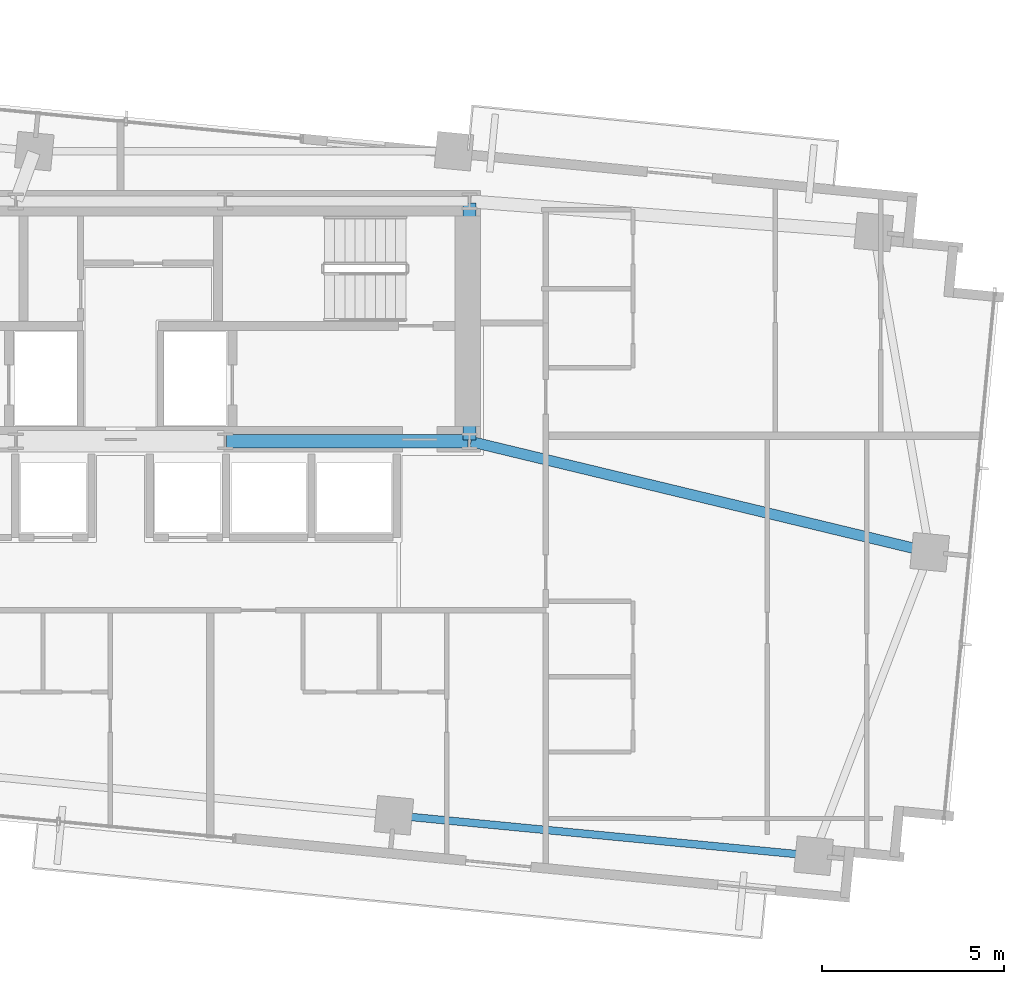
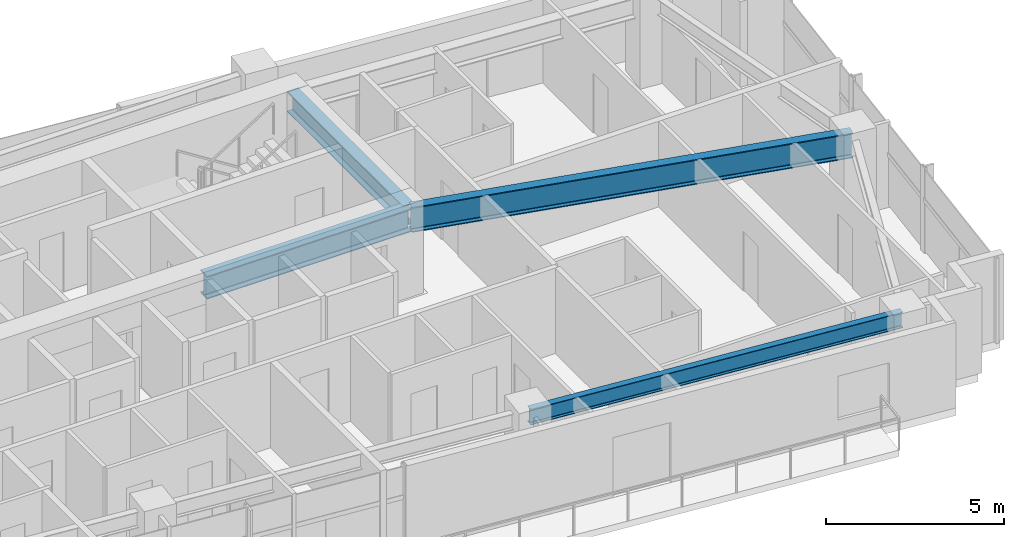
# One storey, part 9 of 19: 4 beams.
"""IFC4 building model written with IfcOpenShell, lengths in metres."""

from ifc_helpers import new_model, si_unit, direction, frame, origin, origin_2d, place, context, subcontext, project, spatial, i_section, extrude, source, transform, mapped, material, material_profile, profile_set, type_object, type_shapes, element, save


model = new_model("IFC4")

# Units and contexts
model_context = context("Model", 3, precision=1e-05, world=origin(), true_north=direction((0.0, 1.0)))
body_context = subcontext(model_context, "Body", "Model", "MODEL_VIEW")
ifc_project = project(units=[si_unit("LENGTHUNIT", "METRE"), si_unit("AREAUNIT", "SQUARE_METRE"), si_unit("VOLUMEUNIT", "CUBIC_METRE"), si_unit("PLANEANGLEUNIT", "RADIAN"), si_unit("MASSUNIT", "GRAM", prefix="KILO")], contexts=[model_context])

# Site, building, storey
site_placement = place(None, origin())
site = spatial("IfcSite", under=ifc_project, at=site_placement, CompositionType="ELEMENT")
building_placement = place(site_placement, origin())
building = spatial("IfcBuilding", under=site, at=building_placement, Name="Astriad Promenade Condominiums", CompositionType="ELEMENT")
storey_placement = place(building_placement, frame((0.0, 0.0, 143.800048828125)))
storey = spatial("IfcBuildingStorey", under=building, at=storey_placement, Name="L41", CompositionType="ELEMENT", Elevation=143.800048828125)

# Beams
ifc_material = material(Name="Steel ASTM A992 Grade 50", Category="steel")
ifc_material_profile_1 = material_profile(ifc_material, i_section(OverallWidth=0.3837890625, OverallDepth=0.785888671875, WebThickness=0.019775390625, FlangeThickness=0.033447265625, FilletRadius=0.021484375, at=origin_2d()), Name="W30X211")
ifc_profile_set_1 = profile_set([ifc_material_profile_1], Name="Steel ASTM A992 Grade 50")
beam_type_1 = type_object("IfcBeamType", Name="STEEL FLOOR GIRDER W30X211", PredefinedType="BEAM", material=ifc_profile_set_1)
shared_shape_1 = source(origin(), body_context, "Body", "SweptSolid", [
    extrude(i_section(OverallWidth=0.3837890625, OverallDepth=0.785888671875, WebThickness=0.019775390625, FlangeThickness=0.033447265625, FilletRadius=0.021484375, at=origin_2d()), origin(), (0.0, 0.0, 1.0), 6.64013671875),
])
type_shapes(beam_type_1, [shared_shape_1])
beam_1_placement = place(storey_placement, frame((38.919921875, 17.39990234375, 2.546875), z_axis=(1.0, 0.0, 0.0), x_axis=(0.0, 1.0, 0.0)))
element("IfcBeam", 1, at=beam_1_placement, inside=storey, type_object=beam_type_1, Name="Core Ring Beam CG-S3-L41", PredefinedType="BEAM", context=body_context, shape_type="MappedRepresentation", body=[
    mapped(shared_shape_1, transform((0.0, 0.0, 0.0), scale=1.0)),
])
ifc_material_profile_2 = material_profile(ifc_material, i_section(OverallWidth=0.35791015625, OverallDepth=0.706298828125, WebThickness=0.018310546875, FlangeThickness=0.0302734375, FilletRadius=0.020263671875, at=origin_2d()), Name="W27X178")
ifc_profile_set_2 = profile_set([ifc_material_profile_2], Name="Steel ASTM A992 Grade 50")
beam_type_2 = type_object("IfcBeamType", Name="STEEL FLOOR GIRDER W27X178", PredefinedType="BEAM", material=ifc_profile_set_2)
shared_shape_2 = source(origin(), body_context, "Body", "SweptSolid", [
    extrude(i_section(OverallWidth=0.35791015625, OverallDepth=0.706298828125, WebThickness=0.018310546875, FlangeThickness=0.0302734375, FilletRadius=0.020263671875, at=origin_2d()), origin(), (0.0, 0.0, 1.0), 6.52001953125),
])
type_shapes(beam_type_2, [shared_shape_2])
beam_2_placement = place(storey_placement, frame((45.60009765625, 17.43994140625, 2.586669921875), z_axis=(0.0, 1.0, 0.0), x_axis=(-1.0, 0.0, 0.0)))
element("IfcBeam", 2, at=beam_2_placement, inside=storey, type_object=beam_type_2, Name="Core Ring Beam CG-E1-L41", PredefinedType="BEAM", context=body_context, shape_type="MappedRepresentation", body=[
    mapped(shared_shape_2, transform((0.0, 0.0, 0.0), scale=1.0)),
])
ifc_material_profile_3 = material_profile(ifc_material, i_section(OverallWidth=0.210693359375, OverallDepth=0.53955078125, WebThickness=0.01171875, FlangeThickness=0.018798828125, FilletRadius=0.0166015625, at=origin_2d()), Name="W21X73")
ifc_profile_set_3 = profile_set([ifc_material_profile_3], Name="Steel ASTM A992 Grade 50")
beam_type_3 = type_object("IfcBeamType", Name="STEEL SPANDREL BEAM W21X73", PredefinedType="SPANDREL", material=ifc_profile_set_3)
shared_shape_3 = source(origin(), body_context, "Body", "SweptSolid", [
    extrude(i_section(OverallWidth=0.210693359375, OverallDepth=0.53955078125, WebThickness=0.01171875, FlangeThickness=0.018798828125, FilletRadius=0.0166015625, at=origin_2d()), origin(), (0.0, 0.0, 1.0), 11.519775390625),
])
type_shapes(beam_type_3, [shared_shape_3])
beam_3_placement = place(storey_placement, frame((43.560302734375, 7.10400390625, 2.670166015625), z_axis=(0.995397217389, -0.095835168988, 0.0), x_axis=(0.095835168988, 0.995397217389, 0.0)))
element("IfcBeam", 3, at=beam_3_placement, inside=storey, type_object=beam_type_3, Name="Perimeter Spandrel Beam SP-S4-L41", PredefinedType="SPANDREL", context=body_context, shape_type="MappedRepresentation", body=[
    mapped(shared_shape_3, transform((0.0, 0.0, 0.0), scale=1.0)),
])
ifc_material_profile_4 = material_profile(ifc_material, i_section(OverallWidth=0.2919921875, OverallDepth=0.85888671875, WebThickness=0.01708984375, FlangeThickness=0.031005859375, FilletRadius=0.02294921875, at=origin_2d()), Name="W33X169")
ifc_profile_set_4 = profile_set([ifc_material_profile_4], Name="Steel ASTM A992 Grade 50")
beam_type_4 = type_object("IfcBeamType", Name="STEEL PRIMARY GIRDER W33X169", PredefinedType="BEAM", material=ifc_profile_set_4)
shared_shape_4 = source(origin(), body_context, "Body", "SweptSolid", [
    extrude(i_section(OverallWidth=0.2919921875, OverallDepth=0.85888671875, WebThickness=0.01708984375, FlangeThickness=0.031005859375, FilletRadius=0.02294921875, at=origin_2d()), origin(), (0.0, 0.0, 1.0), 12.94482421875),
])
type_shapes(beam_type_4, [shared_shape_4])
beam_4_placement = place(storey_placement, frame((58.223388671875, 14.357666015625, 2.510498046875), z_axis=(-0.972164476402, 0.234299446908, 0.0), x_axis=(-0.234299446908, -0.972164476402, 0.0)))
element("IfcBeam", 4, at=beam_4_placement, inside=storey, type_object=beam_type_4, Name="Primary Floor Girder PG-EM-L41", PredefinedType="BEAM", context=body_context, shape_type="MappedRepresentation", body=[
    mapped(shared_shape_4, transform((0.0, 0.0, 0.0), scale=1.0)),
])

save(model, "model.ifc")
